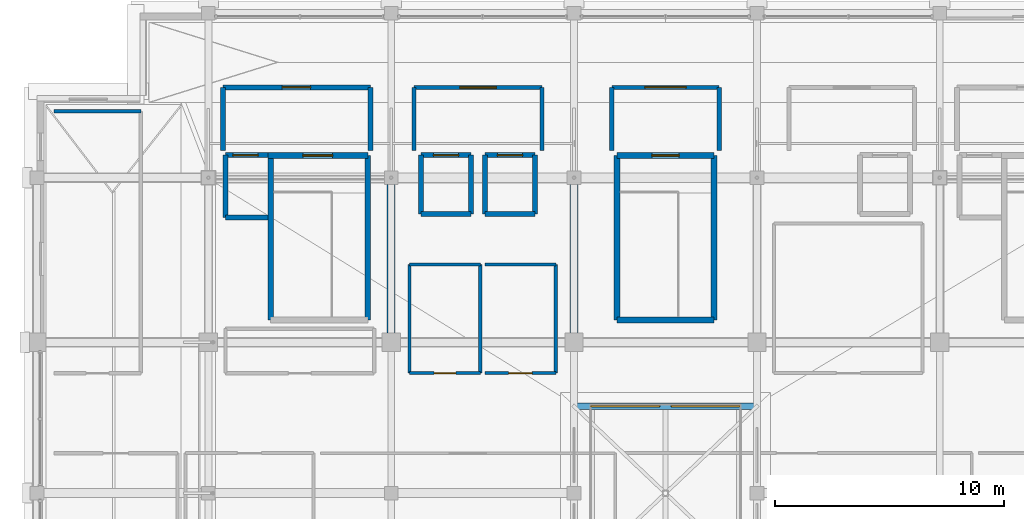
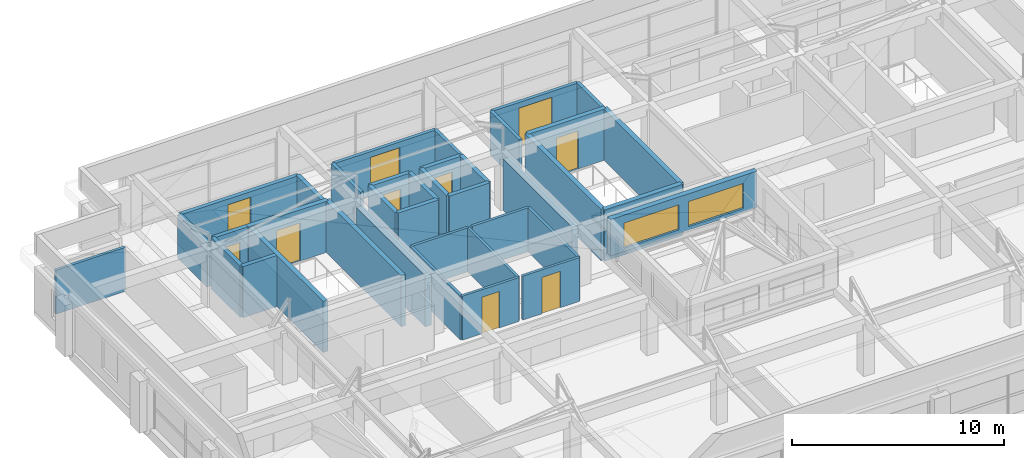
# One storey, part 35 of 39: 38 walls, 10 doors, 2 windows, 12 openings.
"""IFC4 building model written with IfcOpenShell, lengths in metres."""

from ifc_helpers import new_model, si_unit, direction, frame, frame_2d, origin, place, context, subcontext, project, spatial, rectangle, extrude, material, layer, layer_set, type_object, element, fill, save


model = new_model("IFC4")

# Units and contexts
model_context = context("Model", 3, precision=1e-05, world=origin(), true_north=direction((0.0, 1.0)))
body_context = subcontext(model_context, "Body", "Model", "MODEL_VIEW")
ifc_project = project(units=[si_unit("LENGTHUNIT", "METRE"), si_unit("AREAUNIT", "SQUARE_METRE"), si_unit("VOLUMEUNIT", "CUBIC_METRE"), si_unit("PLANEANGLEUNIT", "RADIAN"), si_unit("MASSUNIT", "GRAM", prefix="KILO")], contexts=[model_context])

# Site, building, storey
site_placement = place(None, origin())
site = spatial("IfcSite", under=ifc_project, at=site_placement, CompositionType="ELEMENT")
building_placement = place(site_placement, origin())
building = spatial("IfcBuilding", under=site, at=building_placement, Name="Akrevak Sports Hall", CompositionType="ELEMENT")
storey_placement = place(building_placement, frame((0.0, 0.0, 66.550048828125)))
storey = spatial("IfcBuildingStorey", under=building, at=storey_placement, Name="L17", CompositionType="ELEMENT", Elevation=66.550048828125)

# Wall, openings, windows
ifc_material_1 = material(Name="Limestone Ashlar", Category="stone")
ifc_layer_1 = layer(ifc_material_1, 0.06005859375, Name="Limestone Ashlar")
ifc_material_2 = material(Name="Mineral Wool Thermal Insulation", Category="insulation")
ifc_layer_2 = layer(ifc_material_2, 0.0400390625, Name="Mineral Wool Thermal Insulation")
ifc_material_3 = material(Name="Concrete C40/50", Category="concrete")
ifc_layer_3 = layer(ifc_material_3, 0.179931640625, Name="Concrete C40/50")
ifc_layer_set_1 = layer_set([ifc_layer_1, ifc_layer_2, ifc_layer_3], Name="Limestone Ashlar / Mineral Wool Thermal Insulation / Concrete C40/50")
wall_type_1 = type_object("IfcWallType", Name="ARC-WL-PAR-280", PredefinedType="PARAPET", material=ifc_layer_set_1)
wall_1_placement = place(storey_placement, frame((84.0, 52.39990234375, 3.25), z_axis=(0.0, 0.0, 1.0), x_axis=(-1.0, 0.0, 0.0)))
wall_1 = element("IfcWall", 1, at=wall_1_placement, inside=storey, type_object=wall_type_1, Name="Crown Beaux-Arts Cupola Lantern Drum N Wall", PredefinedType="PARAPET", context=body_context, shape_type="SweptSolid", body=[
    extrude(rectangle(XDim=8.0, YDim=0.280029296875, at=frame_2d((4.0, 0.0))), origin(), (0.0, 0.0, 1.0), 2.099853515625),
])
opening_1_placement = place(wall_1_placement, frame((0.739990234375, 0.0, 0.199951171875)))
opening_1 = element("IfcOpeningElement", 2, at=opening_1_placement, cuts=wall_1, Name="Opening WN-62", PredefinedType="OPENING", context=body_context, shape_type="SweptSolid", body=[
    extrude(rectangle(XDim=3.0, YDim=1.449951171875, at=frame_2d((1.5, 0.72509765625))), frame((0.0, 0.15185546875, 0.0), z_axis=(0.0, -1.0, 0.0), x_axis=(1.0, 0.0, 0.0)), (0.0, 0.0, 1.0), 0.303955078125),
])
opening_2_placement = place(wall_1_placement, frame((4.260009765625, 0.0, 0.199951171875)))
opening_2 = element("IfcOpeningElement", 3, at=opening_2_placement, cuts=wall_1, Name="Opening WN-62", PredefinedType="OPENING", context=body_context, shape_type="SweptSolid", body=[
    extrude(rectangle(XDim=3.0, YDim=1.449951171875, at=frame_2d((1.5, 0.72509765625))), frame((0.0, 0.15185546875, 0.0), z_axis=(0.0, -1.0, 0.0), x_axis=(1.0, 0.0, 0.0)), (0.0, 0.0, 1.0), 0.303955078125),
])
ifc_material_4 = material(Name="Thermally Broken Bronze Frame & Double Low-E Glass", Category="glass")
window_type = type_object("IfcWindowType", Name="ARC-WIN-SZ-3000x1450", PartitioningType="SINGLE_PANEL", PredefinedType="SKYLIGHT", material=ifc_material_4)
window_1_placement = place(opening_1_placement, origin())
window_1 = element("IfcWindow", 4, at=window_1_placement, inside=storey, type_object=window_type, Name="Cupola Lantern Skylight N.1", OverallHeight=1.449951171875, OverallWidth=3.0, PartitioningType="SINGLE_PANEL", PredefinedType="SKYLIGHT", context=body_context, shape_type="SweptSolid", body=[
    extrude(rectangle(XDim=3.0, YDim=1.449951171875, at=frame_2d((1.5, 0.72509765625))), frame((0.0, 0.030029296875, 0.0), z_axis=(0.0, -1.0, 0.0), x_axis=(1.0, 0.0, 0.0)), (0.0, 0.0, 1.0), 0.06005859375),
])
fill(opening_1, window_1)
window_2_placement = place(opening_2_placement, origin())
window_2 = element("IfcWindow", 5, at=window_2_placement, inside=storey, type_object=window_type, Name="Cupola Lantern Skylight N.2", OverallHeight=1.449951171875, OverallWidth=3.0, PartitioningType="SINGLE_PANEL", PredefinedType="SKYLIGHT", context=body_context, shape_type="SweptSolid", body=[
    extrude(rectangle(XDim=3.0, YDim=1.449951171875, at=frame_2d((1.5, 0.72509765625))), frame((0.0, 0.030029296875, 0.0), z_axis=(0.0, -1.0, 0.0), x_axis=(1.0, 0.0, 0.0)), (0.0, 0.0, 1.0), 0.06005859375),
])
fill(opening_2, window_2)

# Wall, opening, door
ifc_material_5 = material(Name="Moisture-Resistant Wet-Area Partition", Category="gypsum")
ifc_layer_4 = layer(ifc_material_5, 0.139892578125, Name="Moisture-Resistant Wet-Area Partition")
ifc_layer_set_2 = layer_set([ifc_layer_4], Name="Moisture-Resistant Wet-Area Partition")
wall_type_2 = type_object("IfcWallType", Name="ARC-WL-PRT-140", PredefinedType="PARTITIONING", material=ifc_layer_set_2)
wall_2_placement = place(storey_placement, frame((68.800048828125, 53.85009765625, 0.0), z_axis=(0.0, 0.0, 1.0), x_axis=(1.0, 0.0, 0.0)))
wall_2 = element("IfcWall", 6, at=wall_2_placement, inside=storey, type_object=wall_type_2, Name="Interior Partition Men WC L17 (S)", PredefinedType="PARTITIONING", context=body_context, shape_type="SweptSolid", body=[
    extrude(rectangle(XDim=3.099853515625, YDim=0.139892578125, at=frame_2d((1.5498046875, 0.0))), origin(), (0.0, 0.0, 1.0), 2.530029296875),
])
opening_3_placement = place(wall_2_placement, frame((1.074951171875, 0.0, 0.0)))
opening_3 = element("IfcOpeningElement", 7, at=opening_3_placement, cuts=wall_2, Name="Opening ID-08", PredefinedType="OPENING", context=body_context, shape_type="SweptSolid", body=[
    extrude(rectangle(XDim=0.949951171875, YDim=2.10009765625, at=frame_2d((0.47509765625, 1.050048828125))), frame((0.0, 0.08203125, 0.0), z_axis=(0.0, -1.0, 0.0), x_axis=(1.0, 0.0, 0.0)), (0.0, 0.0, 1.0), 0.163818359375),
])
ifc_material_6 = material(Name="High-Pressure Laminate & Aluminium", Category="aluminium")
door_type_1 = type_object("IfcDoorType", Name="ARC-DR-WC-095x210", OperationType="NOTDEFINED", PredefinedType="DOOR", material=ifc_material_6)
door_1_placement = place(opening_3_placement, frame((0.949951171875, 0.0, 0.0), z_axis=(0.0, 0.0, 1.0), x_axis=(-1.0, 0.0, 0.0)))
door_1 = element("IfcDoor", 8, at=door_1_placement, inside=storey, type_object=door_type_1, Name="Door to Men WC L17", OperationType="SINGLE_SWING_RIGHT", OverallHeight=2.10009765625, OverallWidth=0.949951171875, PredefinedType="DOOR", context=body_context, shape_type="SweptSolid", body=[
    extrude(rectangle(XDim=0.949951171875, YDim=2.10009765625, at=frame_2d((0.47509765625, 1.050048828125))), frame((0.0, 0.02490234375, 0.0), z_axis=(0.0, -1.0, 0.0), x_axis=(1.0, 0.0, 0.0)), (0.0, 0.0, 1.0), 0.050048828125),
])
fill(opening_3, door_1)

# Walls
wall_3_placement = place(storey_placement, frame((68.800048828125, 58.60009765625, 0.0), z_axis=(0.0, 0.0, 1.0), x_axis=(1.0, 0.0, 0.0)))
element("IfcWall", 9, at=wall_3_placement, inside=storey, type_object=wall_type_2, Name="Interior Partition Men WC L17 (N)", PredefinedType="PARTITIONING", context=body_context, shape_type="SweptSolid", body=[
    extrude(rectangle(XDim=3.099853515625, YDim=0.139892578125, at=frame_2d((1.5498046875, 0.0))), origin(), (0.0, 0.0, 1.0), 2.530029296875),
])
for number, where, z_axis, x_axis, name in (
    (10, (68.800048828125, 53.85009765625, 0.0), (0.0, 0.0, 1.0), (0.0, 1.0, 0.0), "Interior Partition Men WC L17 (W)"),
    (11, (71.89990234375, 53.85009765625, 0.0), (0.0, 0.0, 1.0), (0.0, 1.0, 0.0), "Interior Partition Men WC L17 (E)"),
):
    element("IfcWall", number, at=place(storey_placement, frame(where, z_axis=z_axis, x_axis=x_axis)), inside=storey, type_object=wall_type_2, Name=name, PredefinedType="PARTITIONING", context=body_context, shape_type="SweptSolid", body=[
        extrude(rectangle(XDim=4.75, YDim=0.139892578125, at=frame_2d((2.375, 0.0))), origin(), (0.0, 0.0, 1.0), 2.530029296875),
    ])

# Wall, opening, door
wall_4_placement = place(storey_placement, frame((72.10009765625, 53.85009765625, 0.0), z_axis=(0.0, 0.0, 1.0), x_axis=(1.0, 0.0, 0.0)))
wall_4 = element("IfcWall", 12, at=wall_4_placement, inside=storey, type_object=wall_type_2, Name="Interior Partition Accessible WC L17 (S)", PredefinedType="PARTITIONING", context=body_context, shape_type="SweptSolid", body=[
    extrude(rectangle(XDim=3.099853515625, YDim=0.139892578125, at=frame_2d((1.5498046875, 0.0))), origin(), (0.0, 0.0, 1.0), 2.530029296875),
])
opening_4_placement = place(wall_4_placement, frame((1.0400390625, 0.0, 0.0)))
opening_4 = element("IfcOpeningElement", 13, at=opening_4_placement, cuts=wall_4, Name="Opening ID-09", PredefinedType="OPENING", context=body_context, shape_type="SweptSolid", body=[
    extrude(rectangle(XDim=1.02001953125, YDim=2.10009765625, at=frame_2d((0.510009765625, 1.050048828125))), frame((0.0, 0.08203125, 0.0), z_axis=(0.0, -1.0, 0.0), x_axis=(1.0, 0.0, 0.0)), (0.0, 0.0, 1.0), 0.163818359375),
])
door_type_2 = type_object("IfcDoorType", Name="ARC-DR-AWC-102x210", OperationType="NOTDEFINED", PredefinedType="DOOR", material=ifc_material_6)
door_2_placement = place(opening_4_placement, origin())
door_2 = element("IfcDoor", 14, at=door_2_placement, inside=storey, type_object=door_type_2, Name="Door to Accessible WC L17", OperationType="SINGLE_SWING_LEFT", OverallHeight=2.10009765625, OverallWidth=1.02001953125, PredefinedType="DOOR", context=body_context, shape_type="SweptSolid", body=[
    extrude(rectangle(XDim=1.02001953125, YDim=2.10009765625, at=frame_2d((0.510009765625, 1.050048828125))), frame((0.0, 0.02490234375, 0.0), z_axis=(0.0, -1.0, 0.0), x_axis=(1.0, 0.0, 0.0)), (0.0, 0.0, 1.0), 0.050048828125),
])
fill(opening_4, door_2)

# Walls
wall_5_placement = place(storey_placement, frame((72.10009765625, 58.60009765625, 0.0), z_axis=(0.0, 0.0, 1.0), x_axis=(1.0, 0.0, 0.0)))
element("IfcWall", 15, at=wall_5_placement, inside=storey, type_object=wall_type_2, Name="Interior Partition Accessible WC L17 (N)", PredefinedType="PARTITIONING", context=body_context, shape_type="SweptSolid", body=[
    extrude(rectangle(XDim=3.099853515625, YDim=0.139892578125, at=frame_2d((1.5498046875, 0.0))), origin(), (0.0, 0.0, 1.0), 2.530029296875),
])
wall_6_placement = place(storey_placement, frame((75.199951171875, 53.85009765625, 0.0), z_axis=(0.0, 0.0, 1.0), x_axis=(0.0, 1.0, 0.0)))
element("IfcWall", 16, at=wall_6_placement, inside=storey, type_object=wall_type_2, Name="Interior Partition Accessible WC L17 (E)", PredefinedType="PARTITIONING", context=body_context, shape_type="SweptSolid", body=[
    extrude(rectangle(XDim=4.75, YDim=0.139892578125, at=frame_2d((2.375, 0.0))), origin(), (0.0, 0.0, 1.0), 2.530029296875),
])
ifc_material_7 = material(Name="Double Stud Acoustic Gypsum Partition", Category="gypsum")
ifc_layer_5 = layer(ifc_material_7, 0.14990234375, Name="Double Stud Acoustic Gypsum Partition")
ifc_layer_set_3 = layer_set([ifc_layer_5], Name="Double Stud Acoustic Gypsum Partition")
wall_type_3 = type_object("IfcWallType", Name="ARC-WL-PRT-150", PredefinedType="PARTITIONING", material=ifc_layer_set_3)
wall_7_placement = place(storey_placement, frame((53.25, 65.300048828125, 0.0), z_axis=(0.0, 0.0, 1.0), x_axis=(1.0, 0.0, 0.0)))
element("IfcWall", 17, at=wall_7_placement, inside=storey, type_object=wall_type_3, Name="Interior Partition Federation Records Office West (L17) (N)", PredefinedType="PARTITIONING", context=body_context, shape_type="SweptSolid", body=[
    extrude(rectangle(XDim=3.800048828125, YDim=0.14990234375, at=frame_2d((1.89990234375, 0.0))), origin(), (0.0, 0.0, 1.0), 2.530029296875),
])

# Wall, opening, door
ifc_material_8 = material(Name="Autoclaved Aerated Masonry Block", Category="masonry")
ifc_layer_6 = layer(ifc_material_8, 0.179931640625, Name="Autoclaved Aerated Masonry Block")
ifc_layer_set_4 = layer_set([ifc_layer_6], Name="Autoclaved Aerated Masonry Block")
wall_type_4 = type_object("IfcWallType", Name="ARC-WL-PRT-180", PredefinedType="PARTITIONING", material=ifc_layer_set_4)
wall_8_placement = place(storey_placement, frame((69.0, 66.35009765625, 0.0), z_axis=(0.0, 0.0, 1.0), x_axis=(1.0, 0.0, 0.0)))
wall_8 = element("IfcWall", 18, at=wall_8_placement, inside=storey, type_object=wall_type_4, Name="Interior Partition West Passenger Lift Lobby L17 (N)", PredefinedType="PARTITIONING", context=body_context, shape_type="SweptSolid", body=[
    extrude(rectangle(XDim=5.60009765625, YDim=0.179931640625, at=frame_2d((2.800048828125, 0.0))), origin(), (0.0, 0.0, 1.0), 2.530029296875),
])
opening_5_placement = place(wall_8_placement, frame((2.0, 0.0, 0.0)))
opening_5 = element("IfcOpeningElement", 19, at=opening_5_placement, cuts=wall_8, Name="Opening ID-03", PredefinedType="OPENING", context=body_context, shape_type="SweptSolid", body=[
    extrude(rectangle(XDim=1.60009765625, YDim=2.199951171875, at=frame_2d((0.800048828125, 1.10009765625))), frame((0.0, 0.10205078125, 0.0), z_axis=(0.0, -1.0, 0.0), x_axis=(1.0, 0.0, 0.0)), (0.0, 0.0, 1.0), 0.203857421875),
])
ifc_material_9 = material(Name="Hardwood Oak & Safety Glass", Category="wood")
door_type_3 = type_object("IfcDoorType", Name="ARC-DR-HALL-160x220", OperationType="DOUBLE_DOOR_SINGLE_SWING", PredefinedType="DOOR", material=ifc_material_9)
door_3_placement = place(opening_5_placement, origin())
door_3 = element("IfcDoor", 20, at=door_3_placement, inside=storey, type_object=door_type_3, Name="Door to West Passenger Lift Lobby L17", OperationType="DOUBLE_DOOR_SINGLE_SWING", OverallHeight=2.199951171875, OverallWidth=1.60009765625, PredefinedType="DOOR", context=body_context, shape_type="SweptSolid", body=[
    extrude(rectangle(XDim=1.60009765625, YDim=2.199951171875, at=frame_2d((0.800048828125, 1.10009765625))), frame((0.0, 0.02490234375, 0.0), z_axis=(0.0, -1.0, 0.0), x_axis=(1.0, 0.0, 0.0)), (0.0, 0.0, 1.0), 0.050048828125),
])
fill(opening_5, door_3)

# Walls
for number, where, z_axis, x_axis, name in (
    (21, (69.0, 63.60009765625, 0.0), (0.0, 0.0, 1.0), (0.0, 1.0, 0.0), "Interior Partition West Passenger Lift Lobby L17 (W)"),
    (22, (74.60009765625, 63.60009765625, 0.0), (0.0, 0.0, 1.0), (0.0, 1.0, 0.0), "Interior Partition West Passenger Lift Lobby L17 (E)"),
):
    element("IfcWall", number, at=place(storey_placement, frame(where, z_axis=z_axis, x_axis=x_axis)), inside=storey, type_object=wall_type_4, Name=name, PredefinedType="PARTITIONING", context=body_context, shape_type="SweptSolid", body=[
        extrude(rectangle(XDim=2.75, YDim=0.179931640625, at=frame_2d((1.375, 0.0))), origin(), (0.0, 0.0, 1.0), 2.530029296875),
    ])

# Wall, opening, door
wall_9_placement = place(storey_placement, frame((77.64990234375, 66.35009765625, 0.0), z_axis=(0.0, 0.0, 1.0), x_axis=(1.0, 0.0, 0.0)))
wall_9 = element("IfcWall", 23, at=wall_9_placement, inside=storey, type_object=wall_type_4, Name="Interior Partition Central Stair ST3 Vestibule L17 (N)", PredefinedType="PARTITIONING", context=body_context, shape_type="SweptSolid", body=[
    extrude(rectangle(XDim=4.7001953125, YDim=0.179931640625, at=frame_2d((2.35009765625, 0.0))), origin(), (0.0, 0.0, 1.0), 2.530029296875),
])
opening_6_placement = place(wall_9_placement, frame((1.449951171875, 0.0, 0.0)))
opening_6 = element("IfcOpeningElement", 24, at=opening_6_placement, cuts=wall_9, Name="Opening FD-02", PredefinedType="OPENING", context=body_context, shape_type="SweptSolid", body=[
    extrude(rectangle(XDim=1.800048828125, YDim=2.199951171875, at=frame_2d((0.89990234375, 1.10009765625))), frame((0.0, 0.10205078125, 0.0), z_axis=(0.0, -1.0, 0.0), x_axis=(1.0, 0.0, 0.0)), (0.0, 0.0, 1.0), 0.203857421875),
])
ifc_material_10 = material(Name="Fire-Rated Galvanized Door Steel", Category="steel")
door_type_4 = type_object("IfcDoorType", Name="ARC-DR-FIRE-180x220", OperationType="DOUBLE_DOOR_SINGLE_SWING", PredefinedType="DOOR", material=ifc_material_10)
door_4_placement = place(opening_6_placement, frame((1.800048828125, 0.0, 0.0), z_axis=(0.0, 0.0, 1.0), x_axis=(-1.0, 0.0, 0.0)))
door_4 = element("IfcDoor", 25, at=door_4_placement, inside=storey, type_object=door_type_4, Name="Door to Central Stair ST3 Vestibule L17", OperationType="DOUBLE_DOOR_SINGLE_SWING", OverallHeight=2.199951171875, OverallWidth=1.800048828125, PredefinedType="DOOR", context=body_context, shape_type="SweptSolid", body=[
    extrude(rectangle(XDim=1.800048828125, YDim=2.199951171875, at=frame_2d((0.89990234375, 1.10009765625))), frame((0.0, 0.02490234375, 0.0), z_axis=(0.0, -1.0, 0.0), x_axis=(1.0, 0.0, 0.0)), (0.0, 0.0, 1.0), 0.050048828125),
])
fill(opening_6, door_4)

# Walls
for number, where, z_axis, x_axis, name in (
    (26, (77.64990234375, 63.60009765625, 0.0), (0.0, 0.0, 1.0), (0.0, 1.0, 0.0), "Interior Partition Central Stair ST3 Vestibule L17 (W)"),
    (27, (82.35009765625, 63.60009765625, 0.0), (0.0, 0.0, 1.0), (0.0, 1.0, 0.0), "Interior Partition Central Stair ST3 Vestibule L17 (E)"),
):
    element("IfcWall", number, at=place(storey_placement, frame(where, z_axis=z_axis, x_axis=x_axis)), inside=storey, type_object=wall_type_4, Name=name, PredefinedType="PARTITIONING", context=body_context, shape_type="SweptSolid", body=[
        extrude(rectangle(XDim=2.75, YDim=0.179931640625, at=frame_2d((1.375, 0.0))), origin(), (0.0, 0.0, 1.0), 2.530029296875),
    ])

# Wall, opening, door
ifc_layer_7 = layer(ifc_material_3, 0.219970703125, Name="Concrete C40/50")
ifc_layer_set_5 = layer_set([ifc_layer_7], Name="Concrete C40/50")
wall_type_5 = type_object("IfcWallType", Name="ARC-WL-PRT-220", PredefinedType="PARTITIONING", material=ifc_layer_set_5)
wall_10_placement = place(storey_placement, frame((60.64990234375, 66.35009765625, 0.0), z_axis=(0.0, 0.0, 1.0), x_axis=(1.0, 0.0, 0.0)))
wall_10 = element("IfcWall", 28, at=wall_10_placement, inside=storey, type_object=wall_type_5, Name="Interior Partition Firefighting Lobby West L17 (N)", PredefinedType="PARTITIONING", context=body_context, shape_type="SweptSolid", body=[
    extrude(rectangle(XDim=6.4501953125, YDim=0.219970703125, at=frame_2d((3.22509765625, 0.0))), origin(), (0.0, 0.0, 1.0), 2.530029296875),
])
opening_7_placement = place(wall_10_placement, frame((2.574951171875, 0.0, 0.0)))
opening_7 = element("IfcOpeningElement", 29, at=opening_7_placement, cuts=wall_10, Name="Opening FD-01", PredefinedType="OPENING", context=body_context, shape_type="SweptSolid", body=[
    extrude(rectangle(XDim=1.25, YDim=2.199951171875, at=frame_2d((0.625, 1.10009765625))), frame((0.0, 0.1220703125, 0.0), z_axis=(0.0, -1.0, 0.0), x_axis=(1.0, 0.0, 0.0)), (0.0, 0.0, 1.0), 0.243896484375),
])
door_type_5 = type_object("IfcDoorType", Name="ARC-DR-FFL-125x220", OperationType="NOTDEFINED", PredefinedType="DOOR", material=ifc_material_10)
door_5_placement = place(opening_7_placement, frame((1.25, 0.0, 0.0), z_axis=(0.0, 0.0, 1.0), x_axis=(-1.0, 0.0, 0.0)))
door_5 = element("IfcDoor", 30, at=door_5_placement, inside=storey, type_object=door_type_5, Name="Door to Firefighting Lobby West L17", OperationType="SINGLE_SWING_RIGHT", OverallHeight=2.199951171875, OverallWidth=1.25, PredefinedType="DOOR", context=body_context, shape_type="SweptSolid", body=[
    extrude(rectangle(XDim=1.25, YDim=2.199951171875, at=frame_2d((0.625, 1.10009765625))), frame((0.0, 0.02490234375, 0.0), z_axis=(0.0, -1.0, 0.0), x_axis=(1.0, 0.0, 0.0)), (0.0, 0.0, 1.0), 0.050048828125),
])
fill(opening_7, door_5)

# Walls
for number, where, z_axis, x_axis, name in (
    (31, (60.64990234375, 63.60009765625, 0.0), (0.0, 0.0, 1.0), (0.0, 1.0, 0.0), "Interior Partition Firefighting Lobby West L17 (W)"),
    (32, (67.10009765625, 63.60009765625, 0.0), (0.0, 0.0, 1.0), (0.0, 1.0, 0.0), "Interior Partition Firefighting Lobby West L17 (E)"),
):
    element("IfcWall", number, at=place(storey_placement, frame(where, z_axis=z_axis, x_axis=x_axis)), inside=storey, type_object=wall_type_5, Name=name, PredefinedType="PARTITIONING", context=body_context, shape_type="SweptSolid", body=[
        extrude(rectangle(XDim=2.75, YDim=0.219970703125, at=frame_2d((1.375, 0.0))), origin(), (0.0, 0.0, 1.0), 2.530029296875),
    ])
ifc_material_11 = material(Name="Concrete C50/60", Category="concrete")
ifc_layer_8 = layer(ifc_material_11, 0.219970703125, Name="Concrete C50/60")
ifc_layer_set_6 = layer_set([ifc_layer_8], Name="Concrete C50/60")
wall_type_6 = type_object("IfcWallType", Name="ARC-WL-SHAFT-220", PredefinedType="SHEAR", material=ifc_layer_set_6)
wall_11_placement = place(storey_placement, frame((60.760009765625, 60.659912109375, 0.0), z_axis=(0.0, 0.0, 1.0), x_axis=(1.0, 0.0, 0.0)))
element("IfcWall", 33, at=wall_11_placement, inside=storey, type_object=wall_type_6, Name="Lift Shaft LF-FF1 Wall S (L17)", PredefinedType="SHEAR", context=body_context, shape_type="SweptSolid", body=[
    extrude(rectangle(XDim=1.840087890625, YDim=0.219970703125, at=frame_2d((0.919921875, 0.0))), origin(), (0.0, 0.0, 1.0), 2.949951171875),
])

# Wall, opening, door
wall_12_placement = place(storey_placement, frame((62.60009765625, 63.389892578125, 0.0), z_axis=(0.0, 0.0, 1.0), x_axis=(-1.0, 0.0, 0.0)))
wall_12 = element("IfcWall", 34, at=wall_12_placement, inside=storey, type_object=wall_type_6, Name="Lift Shaft LF-FF1 Wall N (L17)", PredefinedType="SHEAR", context=body_context, shape_type="SweptSolid", body=[
    extrude(rectangle(XDim=1.840087890625, YDim=0.219970703125, at=frame_2d((0.919921875, 0.0))), origin(), (0.0, 0.0, 1.0), 2.949951171875),
])
opening_8_placement = place(wall_12_placement, frame((0.425048828125, 0.0, 0.0)))
opening_8 = element("IfcOpeningElement", 35, at=opening_8_placement, cuts=wall_12, Name="Opening LD-01", PredefinedType="OPENING", context=body_context, shape_type="SweptSolid", body=[
    extrude(rectangle(XDim=1.10009765625, YDim=2.199951171875, at=frame_2d((0.550048828125, 1.10009765625))), frame((0.0, 0.1220703125, 0.0), z_axis=(0.0, -1.0, 0.0), x_axis=(1.0, 0.0, 0.0)), (0.0, 0.0, 1.0), 0.243896484375),
])
ifc_material_12 = material(Name="Brushed Stainless Steel 304", Category="steel")
door_type_6 = type_object("IfcDoorType", Name="ARC-DR-LD-110x220", OperationType="SLIDING_TO_LEFT", PredefinedType="DOOR", material=ifc_material_12)
door_6_placement = place(opening_8_placement, origin())
door_6 = element("IfcDoor", 36, at=door_6_placement, inside=storey, type_object=door_type_6, Name="Lift LF-FF1 Sliding Landing Door (L17)", OperationType="SLIDING_TO_RIGHT", OverallHeight=2.199951171875, OverallWidth=1.10009765625, PredefinedType="DOOR", context=body_context, shape_type="SweptSolid", body=[
    extrude(rectangle(XDim=1.10009765625, YDim=2.199951171875, at=frame_2d((0.550048828125, 1.10009765625))), frame((0.0, 0.02490234375, 0.0), z_axis=(0.0, -1.0, 0.0), x_axis=(1.0, 0.0, 0.0)), (0.0, 0.0, 1.0), 0.050048828125),
])
fill(opening_8, door_6)

# Walls
wall_13_placement = place(storey_placement, frame((60.760009765625, 63.389892578125, 0.0), z_axis=(0.0, 0.0, 1.0), x_axis=(0.0, -1.0, 0.0)))
element("IfcWall", 37, at=wall_13_placement, inside=storey, type_object=wall_type_6, Name="Lift Shaft LF-FF1 Wall W (L17)", PredefinedType="SHEAR", context=body_context, shape_type="SweptSolid", body=[
    extrude(rectangle(XDim=2.72998046875, YDim=0.219970703125, at=frame_2d((1.364990234375, 0.0))), origin(), (0.0, 0.0, 1.0), 2.949951171875),
])
wall_14_placement = place(storey_placement, frame((69.31005859375, 60.81005859375, 0.0), z_axis=(0.0, 0.0, 1.0), x_axis=(1.0, 0.0, 0.0)))
element("IfcWall", 38, at=wall_14_placement, inside=storey, type_object=wall_type_6, Name="Lift Shaft LF-P1 Wall S (L17)", PredefinedType="SHEAR", context=body_context, shape_type="SweptSolid", body=[
    extrude(rectangle(XDim=2.179931640625, YDim=0.219970703125, at=frame_2d((1.08984375, 0.0))), origin(), (0.0, 0.0, 1.0), 2.949951171875),
])

# Wall, opening, door
wall_15_placement = place(storey_placement, frame((71.489990234375, 63.389892578125, 0.0), z_axis=(0.0, 0.0, 1.0), x_axis=(-1.0, 0.0, 0.0)))
wall_15 = element("IfcWall", 39, at=wall_15_placement, inside=storey, type_object=wall_type_6, Name="Lift Shaft LF-P1 Wall N (L17)", PredefinedType="SHEAR", context=body_context, shape_type="SweptSolid", body=[
    extrude(rectangle(XDim=2.179931640625, YDim=0.219970703125, at=frame_2d((1.08984375, 0.0))), origin(), (0.0, 0.0, 1.0), 2.949951171875),
])
opening_9_placement = place(wall_15_placement, frame((0.5400390625, 0.0, 0.0)))
opening_9 = element("IfcOpeningElement", 40, at=opening_9_placement, cuts=wall_15, Name="Opening LD-01", PredefinedType="OPENING", context=body_context, shape_type="SweptSolid", body=[
    extrude(rectangle(XDim=1.10009765625, YDim=2.199951171875, at=frame_2d((0.550048828125, 1.10009765625))), frame((0.0, 0.1220703125, 0.0), z_axis=(0.0, -1.0, 0.0), x_axis=(1.0, 0.0, 0.0)), (0.0, 0.0, 1.0), 0.243896484375),
])
door_7_placement = place(opening_9_placement, origin())
door_7 = element("IfcDoor", 41, at=door_7_placement, inside=storey, type_object=door_type_6, Name="Lift LF-P1 Sliding Landing Door (L17)", OperationType="SLIDING_TO_RIGHT", OverallHeight=2.199951171875, OverallWidth=1.10009765625, PredefinedType="DOOR", context=body_context, shape_type="SweptSolid", body=[
    extrude(rectangle(XDim=1.10009765625, YDim=2.199951171875, at=frame_2d((0.550048828125, 1.10009765625))), frame((0.0, 0.02490234375, 0.0), z_axis=(0.0, -1.0, 0.0), x_axis=(1.0, 0.0, 0.0)), (0.0, 0.0, 1.0), 0.050048828125),
])
fill(opening_9, door_7)

# Walls
for number, where, z_axis, x_axis, name in (
    (42, (69.31005859375, 63.389892578125, 0.0), (0.0, 0.0, 1.0), (0.0, -1.0, 0.0), "Lift Shaft LF-P1 Wall W (L17)"),
    (43, (71.489990234375, 60.81005859375, 0.0), (0.0, 0.0, 1.0), (0.0, 1.0, 0.0), "Lift Shaft LF-P1 Wall E (L17)"),
):
    element("IfcWall", number, at=place(storey_placement, frame(where, z_axis=z_axis, x_axis=x_axis)), inside=storey, type_object=wall_type_6, Name=name, PredefinedType="SHEAR", context=body_context, shape_type="SweptSolid", body=[
        extrude(rectangle(XDim=2.579833984375, YDim=0.219970703125, at=frame_2d((1.2900390625, 0.0))), origin(), (0.0, 0.0, 1.0), 2.949951171875),
    ])
wall_16_placement = place(storey_placement, frame((72.110107421875, 60.81005859375, 0.0), z_axis=(0.0, 0.0, 1.0), x_axis=(1.0, 0.0, 0.0)))
element("IfcWall", 44, at=wall_16_placement, inside=storey, type_object=wall_type_6, Name="Lift Shaft LF-P2 Wall S (L17)", PredefinedType="SHEAR", context=body_context, shape_type="SweptSolid", body=[
    extrude(rectangle(XDim=2.179931640625, YDim=0.219970703125, at=frame_2d((1.08984375, 0.0))), origin(), (0.0, 0.0, 1.0), 2.949951171875),
])

# Wall, opening, door
wall_17_placement = place(storey_placement, frame((74.2900390625, 63.389892578125, 0.0), z_axis=(0.0, 0.0, 1.0), x_axis=(-1.0, 0.0, 0.0)))
wall_17 = element("IfcWall", 45, at=wall_17_placement, inside=storey, type_object=wall_type_6, Name="Lift Shaft LF-P2 Wall N (L17)", PredefinedType="SHEAR", context=body_context, shape_type="SweptSolid", body=[
    extrude(rectangle(XDim=2.179931640625, YDim=0.219970703125, at=frame_2d((1.08984375, 0.0))), origin(), (0.0, 0.0, 1.0), 2.949951171875),
])
opening_10_placement = place(wall_17_placement, frame((0.5400390625, 0.0, 0.0)))
opening_10 = element("IfcOpeningElement", 46, at=opening_10_placement, cuts=wall_17, Name="Opening LD-01", PredefinedType="OPENING", context=body_context, shape_type="SweptSolid", body=[
    extrude(rectangle(XDim=1.10009765625, YDim=2.199951171875, at=frame_2d((0.550048828125, 1.10009765625))), frame((0.0, 0.1220703125, 0.0), z_axis=(0.0, -1.0, 0.0), x_axis=(1.0, 0.0, 0.0)), (0.0, 0.0, 1.0), 0.243896484375),
])
door_8_placement = place(opening_10_placement, origin())
door_8 = element("IfcDoor", 47, at=door_8_placement, inside=storey, type_object=door_type_6, Name="Lift LF-P2 Sliding Landing Door (L17)", OperationType="SLIDING_TO_RIGHT", OverallHeight=2.199951171875, OverallWidth=1.10009765625, PredefinedType="DOOR", context=body_context, shape_type="SweptSolid", body=[
    extrude(rectangle(XDim=1.10009765625, YDim=2.199951171875, at=frame_2d((0.550048828125, 1.10009765625))), frame((0.0, 0.02490234375, 0.0), z_axis=(0.0, -1.0, 0.0), x_axis=(1.0, 0.0, 0.0)), (0.0, 0.0, 1.0), 0.050048828125),
])
fill(opening_10, door_8)

# Walls
for number, where, z_axis, x_axis, name in (
    (48, (72.110107421875, 63.389892578125, 0.0), (0.0, 0.0, 1.0), (0.0, -1.0, 0.0), "Lift Shaft LF-P2 Wall W (L17)"),
    (49, (74.2900390625, 60.81005859375, 0.0), (0.0, 0.0, 1.0), (0.0, 1.0, 0.0), "Lift Shaft LF-P2 Wall E (L17)"),
):
    element("IfcWall", number, at=place(storey_placement, frame(where, z_axis=z_axis, x_axis=x_axis)), inside=storey, type_object=wall_type_6, Name=name, PredefinedType="SHEAR", context=body_context, shape_type="SweptSolid", body=[
        extrude(rectangle(XDim=2.579833984375, YDim=0.219970703125, at=frame_2d((1.2900390625, 0.0))), origin(), (0.0, 0.0, 1.0), 2.949951171875),
    ])
ifc_layer_9 = layer(ifc_material_11, 0.35009765625, Name="Concrete C50/60")
ifc_layer_set_7 = layer_set([ifc_layer_9], Name="Concrete C50/60")
wall_type_7 = type_object("IfcWallType", Name="STR-WL-CORE-350", PredefinedType="SHEAR", material=ifc_layer_set_7)
for number, where, z_axis, x_axis, name in (
    (50, (68.0, 55.60009765625, 0.0), (0.0, 0.0, 1.0), (0.0, 1.0, 0.0), "Reinforced Concrete Shear Wall SW-C1 (L17)"),
    (51, (76.0, 55.60009765625, 0.0), (0.0, 0.0, 1.0), (0.0, 1.0, 0.0), "Reinforced Concrete Shear Wall SW-W1 (L17)"),
):
    element("IfcWall", number, at=place(storey_placement, frame(where, z_axis=z_axis, x_axis=x_axis)), inside=storey, type_object=wall_type_7, Name=name, PredefinedType="SHEAR", context=body_context, shape_type="SweptSolid", body=[
        extrude(rectangle(XDim=6.5, YDim=0.35009765625, at=frame_2d((3.25, 0.0))), origin(), (0.0, 0.0, 1.0), 2.949951171875),
    ])

# Wall, opening, door
ifc_layer_10 = layer(ifc_material_11, 0.25, Name="Concrete C50/60")
ifc_layer_set_8 = layer_set([ifc_layer_10], Name="Concrete C50/60")
wall_type_8 = type_object("IfcWallType", Name="STR-WL-STAIR-250", PredefinedType="SHEAR", material=ifc_layer_set_8)
wall_18_placement = place(storey_placement, frame((66.97509765625, 63.375, 0.0), z_axis=(0.0, 0.0, 1.0), x_axis=(-1.0, 0.0, 0.0)))
wall_18 = element("IfcWall", 52, at=wall_18_placement, inside=storey, type_object=wall_type_8, Name="Stair Core ST1 Shear Wall N (L17)", PredefinedType="SHEAR", context=body_context, shape_type="SweptSolid", body=[
    extrude(rectangle(XDim=4.375, YDim=0.25, at=frame_2d((2.1875, 0.0))), origin(), (0.0, 0.0, 1.0), 2.949951171875),
])
opening_11_placement = place(wall_18_placement, frame((1.53759765625, 0.0, 0.0)))
opening_11 = element("IfcOpeningElement", 53, at=opening_11_placement, cuts=wall_18, Name="Opening SD-01", PredefinedType="OPENING", context=body_context, shape_type="SweptSolid", body=[
    extrude(rectangle(XDim=1.300048828125, YDim=2.199951171875, at=frame_2d((0.64990234375, 1.10009765625))), frame((0.0, 0.136962890625, 0.0), z_axis=(0.0, -1.0, 0.0), x_axis=(1.0, 0.0, 0.0)), (0.0, 0.0, 1.0), 0.27392578125),
])
door_type_7 = type_object("IfcDoorType", Name="ARC-DR-STAIR-130x220", OperationType="NOTDEFINED", PredefinedType="DOOR", material=ifc_material_10)
door_9_placement = place(opening_11_placement, origin())
door_9 = element("IfcDoor", 54, at=door_9_placement, inside=storey, type_object=door_type_7, Name="Exit Stair ST1 Door (L17)", OperationType="SINGLE_SWING_LEFT", OverallHeight=2.199951171875, OverallWidth=1.300048828125, PredefinedType="DOOR", context=body_context, shape_type="SweptSolid", body=[
    extrude(rectangle(XDim=1.300048828125, YDim=2.199951171875, at=frame_2d((0.64990234375, 1.10009765625))), frame((0.0, 0.02490234375, 0.0), z_axis=(0.0, -1.0, 0.0), x_axis=(1.0, 0.0, 0.0)), (0.0, 0.0, 1.0), 0.050048828125),
])
fill(opening_11, door_9)

# Walls
wall_19_placement = place(storey_placement, frame((62.72509765625, 63.25, 0.0), z_axis=(0.0, 0.0, 1.0), x_axis=(0.0, -1.0, 0.0)))
element("IfcWall", 55, at=wall_19_placement, inside=storey, type_object=wall_type_8, Name="Stair Core ST1 Shear Wall W (L17)", PredefinedType="SHEAR", context=body_context, shape_type="SweptSolid", body=[
    extrude(rectangle(XDim=7.074951171875, YDim=0.25, at=frame_2d((3.53759765625, 0.0))), origin(), (0.0, 0.0, 1.0), 2.949951171875),
])
wall_20_placement = place(storey_placement, frame((66.97509765625, 56.175048828125, 0.0), z_axis=(0.0, 0.0, 1.0), x_axis=(0.0, 1.0, 0.0)))
element("IfcWall", 56, at=wall_20_placement, inside=storey, type_object=wall_type_8, Name="Stair Core ST1 Shear Wall E (L17)", PredefinedType="SHEAR", context=body_context, shape_type="SweptSolid", body=[
    extrude(rectangle(XDim=7.199951171875, YDim=0.25, at=frame_2d((3.60009765625, 0.0))), origin(), (0.0, 0.0, 1.0), 2.949951171875),
])
wall_21_placement = place(storey_placement, frame((77.875, 56.175048828125, 0.0), z_axis=(0.0, 0.0, 1.0), x_axis=(1.0, 0.0, 0.0)))
element("IfcWall", 57, at=wall_21_placement, inside=storey, type_object=wall_type_8, Name="Stair Core ST3 Shear Wall S (L17)", PredefinedType="SHEAR", context=body_context, shape_type="SweptSolid", body=[
    extrude(rectangle(XDim=4.25, YDim=0.25, at=frame_2d((2.125, 0.0))), origin(), (0.0, 0.0, 1.0), 2.949951171875),
])

# Wall, opening, door
wall_22_placement = place(storey_placement, frame((82.125, 63.375, 0.0), z_axis=(0.0, 0.0, 1.0), x_axis=(-1.0, 0.0, 0.0)))
wall_22 = element("IfcWall", 58, at=wall_22_placement, inside=storey, type_object=wall_type_8, Name="Stair Core ST3 Shear Wall N (L17)", PredefinedType="SHEAR", context=body_context, shape_type="SweptSolid", body=[
    extrude(rectangle(XDim=4.25, YDim=0.25, at=frame_2d((2.125, 0.0))), origin(), (0.0, 0.0, 1.0), 2.949951171875),
])
opening_12_placement = place(wall_22_placement, frame((1.52490234375, 0.0, 0.0)))
opening_12 = element("IfcOpeningElement", 59, at=opening_12_placement, cuts=wall_22, Name="Opening SD-02", PredefinedType="OPENING", context=body_context, shape_type="SweptSolid", body=[
    extrude(rectangle(XDim=1.199951171875, YDim=2.199951171875, at=frame_2d((0.60009765625, 1.10009765625))), frame((0.0, 0.136962890625, 0.0), z_axis=(0.0, -1.0, 0.0), x_axis=(1.0, 0.0, 0.0)), (0.0, 0.0, 1.0), 0.27392578125),
])
door_type_8 = type_object("IfcDoorType", Name="ARC-DR-STAIR-120x220", OperationType="NOTDEFINED", PredefinedType="DOOR", material=ifc_material_10)
door_10_placement = place(opening_12_placement, origin())
door_10 = element("IfcDoor", 60, at=door_10_placement, inside=storey, type_object=door_type_8, Name="Exit Stair ST3 Door (L17)", OperationType="SINGLE_SWING_LEFT", OverallHeight=2.199951171875, OverallWidth=1.199951171875, PredefinedType="DOOR", context=body_context, shape_type="SweptSolid", body=[
    extrude(rectangle(XDim=1.199951171875, YDim=2.199951171875, at=frame_2d((0.60009765625, 1.10009765625))), frame((0.0, 0.02490234375, 0.0), z_axis=(0.0, -1.0, 0.0), x_axis=(1.0, 0.0, 0.0)), (0.0, 0.0, 1.0), 0.050048828125),
])
fill(opening_12, door_10)

# Walls
for number, where, z_axis, x_axis, name in (
    (61, (77.875, 63.375, 0.0), (0.0, 0.0, 1.0), (0.0, -1.0, 0.0), "Stair Core ST3 Shear Wall W (L17)"),
    (62, (82.125, 56.175048828125, 0.0), (0.0, 0.0, 1.0), (0.0, 1.0, 0.0), "Stair Core ST3 Shear Wall E (L17)"),
):
    element("IfcWall", number, at=place(storey_placement, frame(where, z_axis=z_axis, x_axis=x_axis)), inside=storey, type_object=wall_type_8, Name=name, PredefinedType="SHEAR", context=body_context, shape_type="SweptSolid", body=[
        extrude(rectangle(XDim=7.199951171875, YDim=0.25, at=frame_2d((3.60009765625, 0.0))), origin(), (0.0, 0.0, 1.0), 2.949951171875),
    ])

save(model, "model.ifc")
